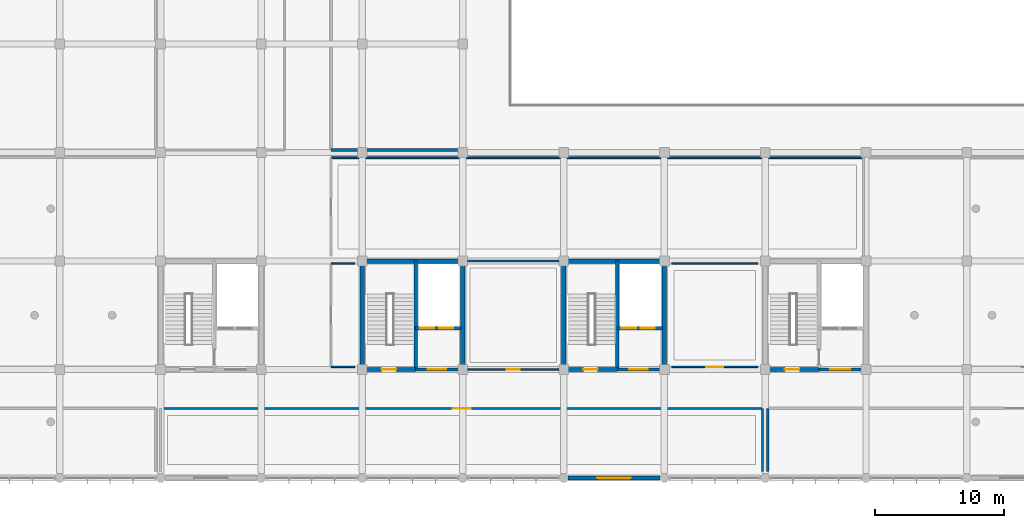
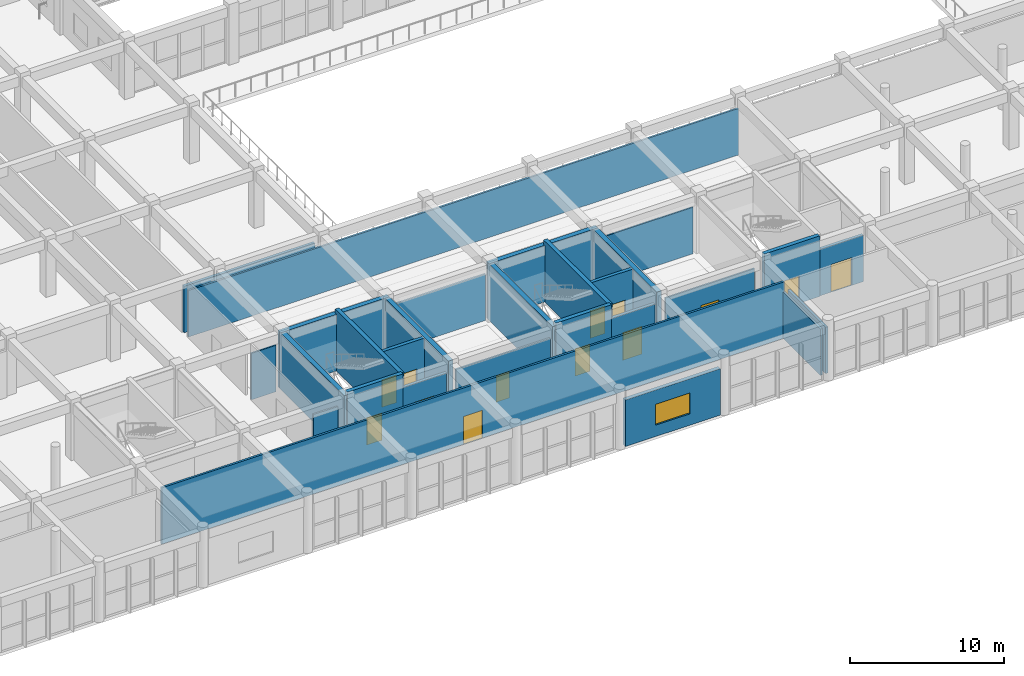
# One storey, part 160 of 175: 28 walls, 13 doors, 1 window, 14 openings.
"""IFC4 building model written with IfcOpenShell, lengths in metres."""

from ifc_helpers import new_model, si_unit, direction, frame, frame_2d, origin, place, context, subcontext, project, spatial, rectangle, extrude, material, layer, layer_set, type_object, element, fill, save


model = new_model("IFC4")

# Units and contexts
model_context = context("Model", 3, precision=1e-05, world=origin(), true_north=direction((0.0, 1.0)))
body_context = subcontext(model_context, "Body", "Model", "MODEL_VIEW")
ifc_project = project(units=[si_unit("LENGTHUNIT", "METRE"), si_unit("AREAUNIT", "SQUARE_METRE"), si_unit("VOLUMEUNIT", "CUBIC_METRE"), si_unit("PLANEANGLEUNIT", "RADIAN"), si_unit("MASSUNIT", "GRAM", prefix="KILO")], contexts=[model_context])

# Site, building, storey
site_placement = place(None, origin())
site = spatial("IfcSite", under=ifc_project, at=site_placement, CompositionType="ELEMENT")
building_placement = place(site_placement, origin())
building = spatial("IfcBuilding", under=site, at=building_placement, Name="Zizhar Promenade General Hospital", CompositionType="ELEMENT")
storey_placement = place(building_placement, frame((0.0, 0.0, 4.800048828125)))
storey = spatial("IfcBuildingStorey", under=building, at=storey_placement, Name="L01", CompositionType="ELEMENT", Elevation=4.800048828125)

# Wall, opening, window
ifc_material_1 = material(Name="Precast concrete C40/50", Category="concrete")
ifc_layer_1 = layer(ifc_material_1, 0.2900390625)
ifc_layer_set_1 = layer_set([ifc_layer_1], Name="Precast concrete C40/50")
wall_type_1 = type_object("IfcWallType", Name="EW-PC-290", PredefinedType="STANDARD", material=ifc_layer_set_1)
wall_1_placement = place(storey_placement, frame((85.4599609375, 0.0, 0.0), z_axis=(0.0, 0.0, 1.0), x_axis=(-1.0, 0.0, 0.0)))
wall_1 = element("IfcWall", 1, at=wall_1_placement, inside=storey, type_object=wall_type_1, Name="Riverfront Facade Wall L01-9", PredefinedType="STANDARD", context=body_context, shape_type="SweptSolid", body=[
    extrude(rectangle(XDim=7.119873046875, YDim=0.2900390625, at=frame_2d((3.56005859375, 0.0))), origin(), (0.0, 0.0, 1.0), 3.679931640625),
])
opening_1_placement = place(wall_1_placement, frame((2.260009765625, 0.0, 0.89990234375)))
opening_1 = element("IfcOpeningElement", 2, at=opening_1_placement, cuts=wall_1, Name="Opening W-06", PredefinedType="OPENING", context=body_context, shape_type="SweptSolid", body=[
    extrude(rectangle(XDim=2.60009765625, YDim=1.64990234375, at=frame_2d((1.300048828125, 0.824951171875))), frame((0.0, 0.155029296875, 0.0), z_axis=(0.0, -1.0, 0.0), x_axis=(1.0, 0.0, 0.0)), (0.0, 0.0, 1.0), 0.31005859375),
])
ifc_material_2 = material(Name="Anodised aluminium 6063-T6 and low-E glass", Category="aluminium")
window_type = type_object("IfcWindowType", Name="WIN-CLN-260x165", PartitioningType="TRIPLE_PANEL_VERTICAL", PredefinedType="WINDOW", material=ifc_material_2)
window_placement = place(opening_1_placement, origin())
window = element("IfcWindow", 3, at=window_placement, inside=storey, type_object=window_type, Name="Riverfront Facade Wall L01-9 Window 1", OverallHeight=1.64990234375, OverallWidth=2.60009765625, PartitioningType="SINGLE_PANEL", PredefinedType="WINDOW", context=body_context, shape_type="SweptSolid", body=[
    extrude(rectangle(XDim=2.60009765625, YDim=1.64990234375, at=frame_2d((1.300048828125, 0.824951171875))), frame((0.0, 0.030029296875, 0.0), z_axis=(0.0, -1.0, 0.0), x_axis=(1.0, 0.0, 0.0)), (0.0, 0.0, 1.0), 0.06005859375),
])
fill(opening_1, window)

# Walls
ifc_material_3 = material(Name="Acoustic double-stud clinical partition")
ifc_layer_2 = layer(ifc_material_3, 0.179931640625)
ifc_layer_set_2 = layer_set([ifc_layer_2], Name="Acoustic double-stud clinical partition")
wall_type_2 = type_object("IfcWallType", Name="IW-ICU-180", PredefinedType="PARTITIONING", material=ifc_layer_set_2)
wall_2_placement = place(storey_placement, frame((93.800048828125, 0.5, 0.0), z_axis=(0.0, 0.0, 1.0), x_axis=(0.0, 1.0, 0.0)))
element("IfcWall", 4, at=wall_2_placement, inside=storey, type_object=wall_type_2, Name="Coronary Intensive Care Unit W Partition", PredefinedType="PARTITIONING", context=body_context, shape_type="SweptSolid", body=[
    extrude(rectangle(XDim=4.89990234375, YDim=0.179931640625, at=frame_2d((2.449951171875, 0.0))), origin(), (0.0, 0.0, 1.0), 3.6650390625),
])
ifc_material_4 = material(Name="Chemical-resistant laboratory partition")
ifc_layer_3 = layer(ifc_material_4, 0.135009765625)
ifc_layer_set_3 = layer_set([ifc_layer_3], Name="Chemical-resistant laboratory partition")
wall_type_3 = type_object("IfcWallType", Name="IW-LAB-135", PredefinedType="PARTITIONING", material=ifc_layer_set_3)
wall_3_placement = place(storey_placement, frame((60.0, 24.800048828125, 0.0), z_axis=(0.0, 0.0, 1.0), x_axis=(1.0, 0.0, 0.0)))
element("IfcWall", 5, at=wall_3_placement, inside=storey, type_object=wall_type_3, Name="Clinical Haematology and Biochemistry Laboratory N Partition", PredefinedType="PARTITIONING", context=body_context, shape_type="SweptSolid", body=[
    extrude(rectangle(XDim=41.199951171875, YDim=0.135009765625, at=frame_2d((20.60009765625, 0.0))), origin(), (0.0, 0.0, 1.0), 3.679931640625),
])

# Wall, opening, door
ifc_material_5 = material(Name="Concrete C35/45", Category="concrete")
ifc_layer_4 = layer(ifc_material_5, 0.215087890625)
ifc_layer_set_4 = layer_set([ifc_layer_4], Name="Concrete C35/45")
wall_type_4 = type_object("IfcWallType", Name="IW-LOBBY-215", PredefinedType="STANDARD", material=ifc_layer_set_4)
wall_4_placement = place(storey_placement, frame((66.550048828125, 8.39990234375, 0.0), z_axis=(0.0, 0.0, 1.0), x_axis=(1.0, 0.0, 0.0)))
wall_4 = element("IfcWall", 6, at=wall_4_placement, inside=storey, type_object=wall_type_4, Name="Core C3 Lift Lobby South Fire Wall (L01)", PredefinedType="STANDARD", context=body_context, shape_type="SweptSolid", body=[
    extrude(rectangle(XDim=3.2900390625, YDim=0.215087890625, at=frame_2d((1.64501953125, 0.0))), origin(), (0.0, 0.0, 1.0), 3.679931640625),
])
opening_2_placement = place(wall_4_placement, frame((0.925048828125, 0.0, 0.0)))
opening_2 = element("IfcOpeningElement", 7, at=opening_2_placement, cuts=wall_4, Name="Opening D-23", PredefinedType="OPENING", context=body_context, shape_type="SweptSolid", body=[
    extrude(rectangle(XDim=1.43994140625, YDim=2.199951171875, at=frame_2d((0.719970703125, 1.10009765625))), frame((0.0, 0.11767578125, 0.0), z_axis=(0.0, -1.0, 0.0), x_axis=(1.0, 0.0, 0.0)), (0.0, 0.0, 1.0), 0.235107421875),
])
ifc_material_6 = material(Name="Fire-rated timber lift lobby pair", Category="wood")
door_type_1 = type_object("IfcDoorType", Name="DR-LOBBY-PR-144x220", OperationType="DOUBLE_DOOR_SINGLE_SWING", PredefinedType="DOOR", material=ifc_material_6)
door_1_placement = place(opening_2_placement, origin())
door_1 = element("IfcDoor", 8, at=door_1_placement, inside=storey, type_object=door_type_1, Name="Core C3 Protected Lift Lobby Door (L01)", OperationType="DOUBLE_DOOR_SINGLE_SWING", OverallHeight=2.199951171875, OverallWidth=1.43994140625, PredefinedType="DOOR", context=body_context, shape_type="SweptSolid", body=[
    extrude(rectangle(XDim=1.43994140625, YDim=2.199951171875, at=frame_2d((0.719970703125, 1.10009765625))), frame((0.0, 0.02490234375, 0.0), z_axis=(0.0, -1.0, 0.0), x_axis=(1.0, 0.0, 0.0)), (0.0, 0.0, 1.0), 0.050048828125),
])
fill(opening_2, door_1)

wall_5_placement = place(storey_placement, frame((82.14990234375, 8.39990234375, 0.0), z_axis=(0.0, 0.0, 1.0), x_axis=(1.0, 0.0, 0.0)))
wall_5 = element("IfcWall", 9, at=wall_5_placement, inside=storey, type_object=wall_type_4, Name="Core C4 Lift Lobby South Fire Wall (L01)", PredefinedType="STANDARD", context=body_context, shape_type="SweptSolid", body=[
    extrude(rectangle(XDim=3.2900390625, YDim=0.215087890625, at=frame_2d((1.64501953125, 0.0))), origin(), (0.0, 0.0, 1.0), 3.679931640625),
])
opening_3_placement = place(wall_5_placement, frame((0.925048828125, 0.0, 0.0)))
opening_3 = element("IfcOpeningElement", 10, at=opening_3_placement, cuts=wall_5, Name="Opening D-23", PredefinedType="OPENING", context=body_context, shape_type="SweptSolid", body=[
    extrude(rectangle(XDim=1.43994140625, YDim=2.199951171875, at=frame_2d((0.719970703125, 1.10009765625))), frame((0.0, 0.11767578125, 0.0), z_axis=(0.0, -1.0, 0.0), x_axis=(1.0, 0.0, 0.0)), (0.0, 0.0, 1.0), 0.235107421875),
])
door_2_placement = place(opening_3_placement, origin())
door_2 = element("IfcDoor", 11, at=door_2_placement, inside=storey, type_object=door_type_1, Name="Core C4 Protected Lift Lobby Door (L01)", OperationType="DOUBLE_DOOR_SINGLE_SWING", OverallHeight=2.199951171875, OverallWidth=1.43994140625, PredefinedType="DOOR", context=body_context, shape_type="SweptSolid", body=[
    extrude(rectangle(XDim=1.43994140625, YDim=2.199951171875, at=frame_2d((0.719970703125, 1.10009765625))), frame((0.0, 0.02490234375, 0.0), z_axis=(0.0, -1.0, 0.0), x_axis=(1.0, 0.0, 0.0)), (0.0, 0.0, 1.0), 0.050048828125),
])
fill(opening_3, door_2)

wall_6_placement = place(storey_placement, frame((97.75, 8.39990234375, 0.0), z_axis=(0.0, 0.0, 1.0), x_axis=(1.0, 0.0, 0.0)))
wall_6 = element("IfcWall", 12, at=wall_6_placement, inside=storey, type_object=wall_type_4, Name="Core C5 Lift Lobby South Fire Wall (L01)", PredefinedType="STANDARD", context=body_context, shape_type="SweptSolid", body=[
    extrude(rectangle(XDim=3.2900390625, YDim=0.215087890625, at=frame_2d((1.64501953125, 0.0))), origin(), (0.0, 0.0, 1.0), 3.679931640625),
])
opening_4_placement = place(wall_6_placement, frame((0.864990234375, 0.0, 0.0)))
opening_4 = element("IfcOpeningElement", 13, at=opening_4_placement, cuts=wall_6, Name="Opening D-22", PredefinedType="OPENING", context=body_context, shape_type="SweptSolid", body=[
    extrude(rectangle(XDim=1.56005859375, YDim=2.199951171875, at=frame_2d((0.780029296875, 1.10009765625))), frame((0.0, 0.11767578125, 0.0), z_axis=(0.0, -1.0, 0.0), x_axis=(1.0, 0.0, 0.0)), (0.0, 0.0, 1.0), 0.235107421875),
])
ifc_material_7 = material(Name="Steel S355 firefighting lobby pair", Category="steel")
door_type_2 = type_object("IfcDoorType", Name="DR-LOBBY-FF-156x220", OperationType="DOUBLE_DOOR_SINGLE_SWING", PredefinedType="DOOR", material=ifc_material_7)
door_3_placement = place(opening_4_placement, origin())
door_3 = element("IfcDoor", 14, at=door_3_placement, inside=storey, type_object=door_type_2, Name="Core C5 Firefighting Lift Lobby Door (L01)", OperationType="DOUBLE_DOOR_SINGLE_SWING", OverallHeight=2.199951171875, OverallWidth=1.56005859375, PredefinedType="DOOR", context=body_context, shape_type="SweptSolid", body=[
    extrude(rectangle(XDim=1.56005859375, YDim=2.199951171875, at=frame_2d((0.780029296875, 1.10009765625))), frame((0.0, 0.02490234375, 0.0), z_axis=(0.0, -1.0, 0.0), x_axis=(1.0, 0.0, 0.0)), (0.0, 0.0, 1.0), 0.050048828125),
])
fill(opening_4, door_3)

# Wall, openings, doors
ifc_material_8 = material(Name="Concrete C35/45", Category="concrete")
ifc_layer_5 = layer(ifc_material_8, 0.25)
ifc_layer_set_5 = layer_set([ifc_layer_5], Name="Concrete C35/45")
wall_type_5 = type_object("IfcWallType", Name="IW-SHAFT-250", PredefinedType="STANDARD", material=ifc_layer_set_5)
wall_7_placement = place(storey_placement, frame((66.550048828125, 11.60009765625, 0.0), z_axis=(0.0, 0.0, 1.0), x_axis=(1.0, 0.0, 0.0)))
wall_7 = element("IfcWall", 15, at=wall_7_placement, inside=storey, type_object=wall_type_5, Name="Core C3 Lift Shaft Landing Wall (L01)", PredefinedType="STANDARD", context=body_context, shape_type="SweptSolid", body=[
    extrude(rectangle(XDim=3.5, YDim=0.25, at=frame_2d((1.75, 0.0))), origin(), (0.0, 0.0, 1.0), 4.4599609375),
])
opening_5_placement = place(wall_7_placement, frame((0.35009765625, 0.0, 0.0)))
opening_5 = element("IfcOpeningElement", 16, at=opening_5_placement, cuts=wall_7, Name="Opening LD-11", PredefinedType="OPENING", context=body_context, shape_type="SweptSolid", body=[
    extrude(rectangle(XDim=1.10009765625, YDim=2.199951171875, at=frame_2d((0.550048828125, 1.10009765625))), frame((0.0, 0.135009765625, 0.0), z_axis=(0.0, -1.0, 0.0), x_axis=(1.0, 0.0, 0.0)), (0.0, 0.0, 1.0), 0.27001953125),
])
opening_6_placement = place(wall_7_placement, frame((1.800048828125, 0.0, 0.0)))
opening_6 = element("IfcOpeningElement", 17, at=opening_6_placement, cuts=wall_7, Name="Opening LD-11", PredefinedType="OPENING", context=body_context, shape_type="SweptSolid", body=[
    extrude(rectangle(XDim=1.10009765625, YDim=2.199951171875, at=frame_2d((0.550048828125, 1.10009765625))), frame((0.0, 0.135009765625, 0.0), z_axis=(0.0, -1.0, 0.0), x_axis=(1.0, 0.0, 0.0)), (0.0, 0.0, 1.0), 0.27001953125),
])
ifc_material_9 = material(Name="Stainless Steel S355 passenger lift landing door", Category="steel")
door_type_3 = type_object("IfcDoorType", Name="DR-LIFT-LD11", OperationType="SLIDING_TO_LEFT", PredefinedType="DOOR", material=ifc_material_9)
door_4_placement = place(opening_5_placement, origin())
door_4 = element("IfcDoor", 18, at=door_4_placement, inside=storey, type_object=door_type_3, Name="Lift LB-02 Sliding Landing Door (L01)", OperationType="SLIDING_TO_LEFT", OverallHeight=2.199951171875, OverallWidth=1.10009765625, PredefinedType="DOOR", context=body_context, shape_type="SweptSolid", body=[
    extrude(rectangle(XDim=1.10009765625, YDim=2.199951171875, at=frame_2d((0.550048828125, 1.10009765625))), frame((0.0, 0.02490234375, 0.0), z_axis=(0.0, -1.0, 0.0), x_axis=(1.0, 0.0, 0.0)), (0.0, 0.0, 1.0), 0.050048828125),
])
fill(opening_5, door_4)
door_5_placement = place(opening_6_placement, origin())
door_5 = element("IfcDoor", 19, at=door_5_placement, inside=storey, type_object=door_type_3, Name="Lift LP-02 Sliding Landing Door (L01)", OperationType="SLIDING_TO_LEFT", OverallHeight=2.199951171875, OverallWidth=1.10009765625, PredefinedType="DOOR", context=body_context, shape_type="SweptSolid", body=[
    extrude(rectangle(XDim=1.10009765625, YDim=2.199951171875, at=frame_2d((0.550048828125, 1.10009765625))), frame((0.0, 0.02490234375, 0.0), z_axis=(0.0, -1.0, 0.0), x_axis=(1.0, 0.0, 0.0)), (0.0, 0.0, 1.0), 0.050048828125),
])
fill(opening_6, door_5)

wall_8_placement = place(storey_placement, frame((82.14990234375, 11.60009765625, 0.0), z_axis=(0.0, 0.0, 1.0), x_axis=(1.0, 0.0, 0.0)))
wall_8 = element("IfcWall", 20, at=wall_8_placement, inside=storey, type_object=wall_type_5, Name="Core C4 Lift Shaft Landing Wall (L01)", PredefinedType="STANDARD", context=body_context, shape_type="SweptSolid", body=[
    extrude(rectangle(XDim=3.5, YDim=0.25, at=frame_2d((1.75, 0.0))), origin(), (0.0, 0.0, 1.0), 4.4599609375),
])
opening_7_placement = place(wall_8_placement, frame((0.35009765625, 0.0, 0.0)))
opening_7 = element("IfcOpeningElement", 21, at=opening_7_placement, cuts=wall_8, Name="Opening LD-11", PredefinedType="OPENING", context=body_context, shape_type="SweptSolid", body=[
    extrude(rectangle(XDim=1.10009765625, YDim=2.199951171875, at=frame_2d((0.550048828125, 1.10009765625))), frame((0.0, 0.135009765625, 0.0), z_axis=(0.0, -1.0, 0.0), x_axis=(1.0, 0.0, 0.0)), (0.0, 0.0, 1.0), 0.27001953125),
])
opening_8_placement = place(wall_8_placement, frame((1.800048828125, 0.0, 0.0)))
opening_8 = element("IfcOpeningElement", 22, at=opening_8_placement, cuts=wall_8, Name="Opening LD-11", PredefinedType="OPENING", context=body_context, shape_type="SweptSolid", body=[
    extrude(rectangle(XDim=1.10009765625, YDim=2.199951171875, at=frame_2d((0.550048828125, 1.10009765625))), frame((0.0, 0.135009765625, 0.0), z_axis=(0.0, -1.0, 0.0), x_axis=(1.0, 0.0, 0.0)), (0.0, 0.0, 1.0), 0.27001953125),
])
door_6_placement = place(opening_7_placement, origin())
door_6 = element("IfcDoor", 23, at=door_6_placement, inside=storey, type_object=door_type_3, Name="Lift LB-03 Sliding Landing Door (L01)", OperationType="SLIDING_TO_LEFT", OverallHeight=2.199951171875, OverallWidth=1.10009765625, PredefinedType="DOOR", context=body_context, shape_type="SweptSolid", body=[
    extrude(rectangle(XDim=1.10009765625, YDim=2.199951171875, at=frame_2d((0.550048828125, 1.10009765625))), frame((0.0, 0.02490234375, 0.0), z_axis=(0.0, -1.0, 0.0), x_axis=(1.0, 0.0, 0.0)), (0.0, 0.0, 1.0), 0.050048828125),
])
fill(opening_7, door_6)
door_7_placement = place(opening_8_placement, origin())
door_7 = element("IfcDoor", 24, at=door_7_placement, inside=storey, type_object=door_type_3, Name="Lift LP-03 Sliding Landing Door (L01)", OperationType="SLIDING_TO_LEFT", OverallHeight=2.199951171875, OverallWidth=1.10009765625, PredefinedType="DOOR", context=body_context, shape_type="SweptSolid", body=[
    extrude(rectangle(XDim=1.10009765625, YDim=2.199951171875, at=frame_2d((0.550048828125, 1.10009765625))), frame((0.0, 0.02490234375, 0.0), z_axis=(0.0, -1.0, 0.0), x_axis=(1.0, 0.0, 0.0)), (0.0, 0.0, 1.0), 0.050048828125),
])
fill(opening_8, door_7)

# Walls
ifc_material_10 = material(Name="Clean utility gypsum partition")
ifc_layer_6 = layer(ifc_material_10, 0.114990234375)
ifc_layer_set_6 = layer_set([ifc_layer_6], Name="Clean utility gypsum partition")
wall_type_6 = type_object("IfcWallType", Name="IW-STR-115", PredefinedType="PARTITIONING", material=ifc_layer_set_6)
for number, where, z_axis, x_axis, name in (
    (25, (60.0, 8.60009765625, 0.0), (0.0, 0.0, 1.0), (1.0, 0.0, 0.0), "Clean Utility Room L01 S Partition"),
    (26, (60.0, 16.60009765625, 0.0), (0.0, 0.0, 1.0), (1.0, 0.0, 0.0), "Clean Utility Room L01 N Partition"),
):
    element("IfcWall", number, at=place(storey_placement, frame(where, z_axis=z_axis, x_axis=x_axis)), inside=storey, type_object=wall_type_6, Name=name, PredefinedType="PARTITIONING", context=body_context, shape_type="SweptSolid", body=[
        extrude(rectangle(XDim=1.840087890625, YDim=0.114990234375, at=frame_2d((0.919921875, 0.0))), origin(), (0.0, 0.0, 1.0), 3.679931640625),
    ])

# Wall, opening, door
wall_9_placement = place(storey_placement, frame((86.360107421875, 8.60009765625, 0.0), z_axis=(0.0, 0.0, 1.0), x_axis=(1.0, 0.0, 0.0)))
wall_9 = element("IfcWall", 27, at=wall_9_placement, inside=storey, type_object=wall_type_6, Name="ICU Nurse Station and Pharmacy Satellite L01 S Partition", PredefinedType="PARTITIONING", context=body_context, shape_type="SweptSolid", body=[
    extrude(rectangle(XDim=6.679931640625, YDim=0.114990234375, at=frame_2d((3.33984375, 0.0))), origin(), (0.0, 0.0, 1.0), 3.679931640625),
])
opening_9_placement = place(wall_9_placement, frame((2.679931640625, 0.0, 0.0)))
opening_9 = element("IfcOpeningElement", 28, at=opening_9_placement, cuts=wall_9, Name="Opening D-26", PredefinedType="OPENING", context=body_context, shape_type="SweptSolid", body=[
    extrude(rectangle(XDim=1.320068359375, YDim=2.14990234375, at=frame_2d((0.66015625, 1.074951171875))), frame((0.0, 0.0673828125, 0.0), z_axis=(0.0, -1.0, 0.0), x_axis=(1.0, 0.0, 0.0)), (0.0, 0.0, 1.0), 0.135009765625),
])
ifc_material_11 = material(Name="Fire-rated timber store leaf", Category="wood")
door_type_4 = type_object("IfcDoorType", Name="DR-STORE-132x215", OperationType="NOTDEFINED", PredefinedType="DOOR", material=ifc_material_11)
door_8_placement = place(opening_9_placement, origin())
door_8 = element("IfcDoor", 29, at=door_8_placement, inside=storey, type_object=door_type_4, Name="ICU Nurse Station and Pharmacy Satellite L01 Door", OperationType="SINGLE_SWING_RIGHT", OverallHeight=2.14990234375, OverallWidth=1.320068359375, PredefinedType="DOOR", context=body_context, shape_type="SweptSolid", body=[
    extrude(rectangle(XDim=1.320068359375, YDim=2.14990234375, at=frame_2d((0.66015625, 1.074951171875))), frame((0.0, 0.02490234375, 0.0), z_axis=(0.0, -1.0, 0.0), x_axis=(1.0, 0.0, 0.0)), (0.0, 0.0, 1.0), 0.050048828125),
])
fill(opening_9, door_8)

# Wall
wall_10_placement = place(storey_placement, frame((86.360107421875, 16.60009765625, 0.0), z_axis=(0.0, 0.0, 1.0), x_axis=(1.0, 0.0, 0.0)))
element("IfcWall", 30, at=wall_10_placement, inside=storey, type_object=wall_type_6, Name="ICU Nurse Station and Pharmacy Satellite L01 N Partition", PredefinedType="PARTITIONING", context=body_context, shape_type="SweptSolid", body=[
    extrude(rectangle(XDim=6.679931640625, YDim=0.114990234375, at=frame_2d((3.33984375, 0.0))), origin(), (0.0, 0.0, 1.0), 3.679931640625),
])

# Wall, opening, door
ifc_material_12 = material(Name="Acoustic patient bedroom partition")
ifc_layer_7 = layer(ifc_material_12, 0.155029296875)
ifc_layer_set_7 = layer_set([ifc_layer_7], Name="Acoustic patient bedroom partition")
wall_type_7 = type_object("IfcWallType", Name="IW-WARD-155", PredefinedType="PARTITIONING", material=ifc_layer_set_7)
wall_11_placement = place(storey_placement, frame((46.800048828125, 5.39990234375, 0.0), z_axis=(0.0, 0.0, 1.0), x_axis=(1.0, 0.0, 0.0)))
wall_11 = element("IfcWall", 31, at=wall_11_placement, inside=storey, type_object=wall_type_7, Name="Surgical High-Dependency Inpatient Ward N Partition", PredefinedType="PARTITIONING", context=body_context, shape_type="SweptSolid", body=[
    extrude(rectangle(XDim=46.599853515625, YDim=0.155029296875, at=frame_2d((23.2998046875, 0.0))), origin(), (0.0, 0.0, 1.0), 4.4599609375),
])
opening_10_placement = place(wall_11_placement, frame((22.60009765625, 0.0, 0.0)))
opening_10 = element("IfcOpeningElement", 32, at=opening_10_placement, cuts=wall_11, Name="Opening D-06", PredefinedType="OPENING", context=body_context, shape_type="SweptSolid", body=[
    extrude(rectangle(XDim=1.39990234375, YDim=2.199951171875, at=frame_2d((0.699951171875, 1.10009765625))), frame((0.0, 0.08740234375, 0.0), z_axis=(0.0, -1.0, 0.0), x_axis=(1.0, 0.0, 0.0)), (0.0, 0.0, 1.0), 0.175048828125),
])
ifc_material_13 = material(Name="Fire-rated timber hospital bed leaf", Category="wood")
door_type_5 = type_object("IfcDoorType", Name="DR-BED-WARD-140x220", OperationType="NOTDEFINED", PredefinedType="DOOR", material=ifc_material_13)
door_9_placement = place(opening_10_placement, origin())
door_9 = element("IfcDoor", 33, at=door_9_placement, inside=storey, type_object=door_type_5, Name="Surgical High-Dependency Inpatient Ward Door", OperationType="SINGLE_SWING_RIGHT", OverallHeight=2.199951171875, OverallWidth=1.39990234375, PredefinedType="DOOR", context=body_context, shape_type="SweptSolid", body=[
    extrude(rectangle(XDim=1.39990234375, YDim=2.199951171875, at=frame_2d((0.699951171875, 1.10009765625))), frame((0.0, 0.02490234375, 0.0), z_axis=(0.0, -1.0, 0.0), x_axis=(1.0, 0.0, 0.0)), (0.0, 0.0, 1.0), 0.050048828125),
])
fill(opening_10, door_9)

# Wall
wall_12_placement = place(storey_placement, frame((93.39990234375, 0.5, 0.0), z_axis=(0.0, 0.0, 1.0), x_axis=(0.0, 1.0, 0.0)))
element("IfcWall", 34, at=wall_12_placement, inside=storey, type_object=wall_type_7, Name="Surgical High-Dependency Inpatient Ward E Partition", PredefinedType="PARTITIONING", context=body_context, shape_type="SweptSolid", body=[
    extrude(rectangle(XDim=4.89990234375, YDim=0.155029296875, at=frame_2d((2.449951171875, 0.0))), origin(), (0.0, 0.0, 1.0), 3.6650390625),
])

# Wall, opening, door
ifc_material_14 = material(Name="Moisture-resistant en-suite wet partition")
ifc_layer_8 = layer(ifc_material_14, 0.125)
ifc_layer_set_8 = layer_set([ifc_layer_8], Name="Moisture-resistant en-suite wet partition")
wall_type_8 = type_object("IfcWallType", Name="IW-WET-125", PredefinedType="PARTITIONING", material=ifc_layer_set_8)
wall_13_placement = place(storey_placement, frame((70.56005859375, 8.39990234375, 0.0), z_axis=(0.0, 0.0, 1.0), x_axis=(1.0, 0.0, 0.0)))
wall_13 = element("IfcWall", 35, at=wall_13_placement, inside=storey, type_object=wall_type_8, Name="Accessible Public and Staff Toilet L01 S Partition", PredefinedType="PARTITIONING", context=body_context, shape_type="SweptSolid", body=[
    extrude(rectangle(XDim=7.079833984375, YDim=0.125, at=frame_2d((3.5400390625, 0.0))), origin(), (0.0, 0.0, 1.0), 3.679931640625),
])
opening_11_placement = place(wall_13_placement, frame((3.0400390625, 0.0, 0.0)))
opening_11 = element("IfcOpeningElement", 36, at=opening_11_placement, cuts=wall_13, Name="Opening D-19", PredefinedType="OPENING", context=body_context, shape_type="SweptSolid", body=[
    extrude(rectangle(XDim=1.0, YDim=2.10009765625, at=frame_2d((0.5, 1.050048828125))), frame((0.0, 0.072509765625, 0.0), z_axis=(0.0, -1.0, 0.0), x_axis=(1.0, 0.0, 0.0)), (0.0, 0.0, 1.0), 0.14501953125),
])
ifc_material_15 = material(Name="Moisture-resistant timber accessible WC", Category="wood")
door_type_6 = type_object("IfcDoorType", Name="DR-WC-PMR-100x210", OperationType="NOTDEFINED", PredefinedType="DOOR", material=ifc_material_15)
door_10_placement = place(opening_11_placement, origin())
door_10 = element("IfcDoor", 37, at=door_10_placement, inside=storey, type_object=door_type_6, Name="Accessible Public and Staff Toilet L01 Door", OperationType="SINGLE_SWING_LEFT", OverallHeight=2.10009765625, OverallWidth=1.0, PredefinedType="DOOR", context=body_context, shape_type="SweptSolid", body=[
    extrude(rectangle(XDim=1.0, YDim=2.10009765625, at=frame_2d((0.5, 1.050048828125))), frame((0.0, 0.02490234375, 0.0), z_axis=(0.0, -1.0, 0.0), x_axis=(1.0, 0.0, 0.0)), (0.0, 0.0, 1.0), 0.050048828125),
])
fill(opening_11, door_10)

# Walls
wall_14_placement = place(storey_placement, frame((70.56005859375, 16.800048828125, 0.0), z_axis=(0.0, 0.0, 1.0), x_axis=(1.0, 0.0, 0.0)))
element("IfcWall", 38, at=wall_14_placement, inside=storey, type_object=wall_type_8, Name="Accessible Public and Staff Toilet L01 N Partition", PredefinedType="PARTITIONING", context=body_context, shape_type="SweptSolid", body=[
    extrude(rectangle(XDim=7.079833984375, YDim=0.125, at=frame_2d((3.5400390625, 0.0))), origin(), (0.0, 0.0, 1.0), 3.679931640625),
])
ifc_material_16 = material(Name="Lead-lined gypsum acoustic partition")
ifc_layer_9 = layer(ifc_material_16, 0.205078125)
ifc_layer_set_9 = layer_set([ifc_layer_9], Name="Lead-lined gypsum acoustic partition")
wall_type_9 = type_object("IfcWallType", Name="IW-XRAY-205", PredefinedType="PARTITIONING", material=ifc_layer_set_9)
wall_15_placement = place(storey_placement, frame((60.0, 25.39990234375, 0.0), z_axis=(0.0, 0.0, 1.0), x_axis=(1.0, 0.0, 0.0)))
element("IfcWall", 39, at=wall_15_placement, inside=storey, type_object=wall_type_9, Name="Diagnostic Mammography and Bone Densitometry Imaging S Partition", PredefinedType="PARTITIONING", context=body_context, shape_type="SweptSolid", body=[
    extrude(rectangle(XDim=9.800048828125, YDim=0.205078125, at=frame_2d((4.89990234375, 0.0))), origin(), (0.0, 0.0, 1.0), 3.679931640625),
])

# Wall, opening, door
ifc_material_17 = material(Name="Concrete C40/50", Category="concrete")
ifc_layer_10 = layer(ifc_material_17, 0.300048828125)
ifc_layer_set_10 = layer_set([ifc_layer_10], Name="Concrete C40/50")
wall_type_10 = type_object("IfcWallType", Name="WL-CORE-300", PredefinedType="SHEAR", material=ifc_layer_set_10)
wall_16_placement = place(storey_placement, frame((62.39990234375, 8.39990234375, 0.0), z_axis=(0.0, 0.0, 1.0), x_axis=(1.0, 0.0, 0.0)))
wall_16 = element("IfcWall", 40, at=wall_16_placement, inside=storey, type_object=wall_type_10, Name="Core C3 Stair South Fire Wall (L01)", PredefinedType="SHEAR", context=body_context, shape_type="SweptSolid", body=[
    extrude(rectangle(XDim=4.150146484375, YDim=0.300048828125, at=frame_2d((2.0751953125, 0.0))), origin(), (0.0, 0.0, 1.0), 4.800048828125),
])
opening_12_placement = place(wall_16_placement, frame((1.514892578125, 0.0, 0.0)))
opening_12 = element("IfcOpeningElement", 41, at=opening_12_placement, cuts=wall_16, Name="Opening D-21", PredefinedType="OPENING", context=body_context, shape_type="SweptSolid", body=[
    extrude(rectangle(XDim=1.1201171875, YDim=2.14990234375, at=frame_2d((0.56005859375, 1.074951171875))), frame((0.0, 0.16015625, 0.0), z_axis=(0.0, -1.0, 0.0), x_axis=(1.0, 0.0, 0.0)), (0.0, 0.0, 1.0), 0.320068359375),
])
ifc_material_18 = material(Name="Steel S355 protected stair door", Category="steel")
door_type_7 = type_object("IfcDoorType", Name="DR-STAIR-112x215", OperationType="NOTDEFINED", PredefinedType="DOOR", material=ifc_material_18)
door_11_placement = place(opening_12_placement, origin())
door_11 = element("IfcDoor", 42, at=door_11_placement, inside=storey, type_object=door_type_7, Name="Exit Stair ST-03 Door (L01)", OperationType="SINGLE_SWING_RIGHT", OverallHeight=2.14990234375, OverallWidth=1.1201171875, PredefinedType="DOOR", context=body_context, shape_type="SweptSolid", body=[
    extrude(rectangle(XDim=1.1201171875, YDim=2.14990234375, at=frame_2d((0.56005859375, 1.074951171875))), frame((0.0, 0.02490234375, 0.0), z_axis=(0.0, -1.0, 0.0), x_axis=(1.0, 0.0, 0.0)), (0.0, 0.0, 1.0), 0.050048828125),
])
fill(opening_12, door_11)

# Wall
wall_17_placement = place(storey_placement, frame((66.550048828125, 8.39990234375, 0.0), z_axis=(0.0, 0.0, 1.0), x_axis=(0.0, 1.0, 0.0)))
element("IfcWall", 43, at=wall_17_placement, inside=storey, type_object=wall_type_10, Name="Core C3 Stair-Shaft Separation Wall (L01)", PredefinedType="SHEAR", context=body_context, shape_type="SweptSolid", body=[
    extrude(rectangle(XDim=8.400146484375, YDim=0.300048828125, at=frame_2d((4.2001953125, 0.0))), origin(), (0.0, 0.0, 1.0), 4.800048828125),
])

# Wall, opening, door
wall_18_placement = place(storey_placement, frame((78.0, 8.39990234375, 0.0), z_axis=(0.0, 0.0, 1.0), x_axis=(1.0, 0.0, 0.0)))
wall_18 = element("IfcWall", 44, at=wall_18_placement, inside=storey, type_object=wall_type_10, Name="Core C4 Stair South Fire Wall (L01)", PredefinedType="SHEAR", context=body_context, shape_type="SweptSolid", body=[
    extrude(rectangle(XDim=4.14990234375, YDim=0.300048828125, at=frame_2d((2.074951171875, 0.0))), origin(), (0.0, 0.0, 1.0), 4.800048828125),
])
opening_13_placement = place(wall_18_placement, frame((1.514892578125, 0.0, 0.0)))
opening_13 = element("IfcOpeningElement", 45, at=opening_13_placement, cuts=wall_18, Name="Opening D-21", PredefinedType="OPENING", context=body_context, shape_type="SweptSolid", body=[
    extrude(rectangle(XDim=1.1201171875, YDim=2.14990234375, at=frame_2d((0.56005859375, 1.074951171875))), frame((0.0, 0.16015625, 0.0), z_axis=(0.0, -1.0, 0.0), x_axis=(1.0, 0.0, 0.0)), (0.0, 0.0, 1.0), 0.320068359375),
])
door_12_placement = place(opening_13_placement, origin())
door_12 = element("IfcDoor", 46, at=door_12_placement, inside=storey, type_object=door_type_7, Name="Exit Stair ST-04 Door (L01)", OperationType="SINGLE_SWING_RIGHT", OverallHeight=2.14990234375, OverallWidth=1.1201171875, PredefinedType="DOOR", context=body_context, shape_type="SweptSolid", body=[
    extrude(rectangle(XDim=1.1201171875, YDim=2.14990234375, at=frame_2d((0.56005859375, 1.074951171875))), frame((0.0, 0.02490234375, 0.0), z_axis=(0.0, -1.0, 0.0), x_axis=(1.0, 0.0, 0.0)), (0.0, 0.0, 1.0), 0.050048828125),
])
fill(opening_13, door_12)

# Wall
wall_19_placement = place(storey_placement, frame((82.14990234375, 8.39990234375, 0.0), z_axis=(0.0, 0.0, 1.0), x_axis=(0.0, 1.0, 0.0)))
element("IfcWall", 47, at=wall_19_placement, inside=storey, type_object=wall_type_10, Name="Core C4 Stair-Shaft Separation Wall (L01)", PredefinedType="SHEAR", context=body_context, shape_type="SweptSolid", body=[
    extrude(rectangle(XDim=8.400146484375, YDim=0.300048828125, at=frame_2d((4.2001953125, 0.0))), origin(), (0.0, 0.0, 1.0), 4.800048828125),
])

# Wall, opening, door
wall_20_placement = place(storey_placement, frame((93.60009765625, 8.39990234375, 0.0), z_axis=(0.0, 0.0, 1.0), x_axis=(1.0, 0.0, 0.0)))
wall_20 = element("IfcWall", 48, at=wall_20_placement, inside=storey, type_object=wall_type_10, Name="Core C5 Stair South Fire Wall (L01)", PredefinedType="SHEAR", context=body_context, shape_type="SweptSolid", body=[
    extrude(rectangle(XDim=4.14990234375, YDim=0.300048828125, at=frame_2d((2.074951171875, 0.0))), origin(), (0.0, 0.0, 1.0), 4.800048828125),
])
opening_14_placement = place(wall_20_placement, frame((1.514892578125, 0.0, 0.0)))
opening_14 = element("IfcOpeningElement", 49, at=opening_14_placement, cuts=wall_20, Name="Opening D-21", PredefinedType="OPENING", context=body_context, shape_type="SweptSolid", body=[
    extrude(rectangle(XDim=1.1201171875, YDim=2.14990234375, at=frame_2d((0.56005859375, 1.074951171875))), frame((0.0, 0.16015625, 0.0), z_axis=(0.0, -1.0, 0.0), x_axis=(1.0, 0.0, 0.0)), (0.0, 0.0, 1.0), 0.320068359375),
])
door_13_placement = place(opening_14_placement, origin())
door_13 = element("IfcDoor", 50, at=door_13_placement, inside=storey, type_object=door_type_7, Name="Exit Stair ST-05 Door (L01)", OperationType="SINGLE_SWING_RIGHT", OverallHeight=2.14990234375, OverallWidth=1.1201171875, PredefinedType="DOOR", context=body_context, shape_type="SweptSolid", body=[
    extrude(rectangle(XDim=1.1201171875, YDim=2.14990234375, at=frame_2d((0.56005859375, 1.074951171875))), frame((0.0, 0.02490234375, 0.0), z_axis=(0.0, -1.0, 0.0), x_axis=(1.0, 0.0, 0.0)), (0.0, 0.0, 1.0), 0.050048828125),
])
fill(opening_14, door_13)

# Walls
ifc_material_19 = material(Name="Concrete C40/50", Category="concrete")
ifc_layer_11 = layer(ifc_material_19, 0.35009765625)
ifc_layer_set_11 = layer_set([ifc_layer_11], Name="Concrete C40/50")
wall_type_11 = type_object("IfcWallType", Name="WL-CORE-350", PredefinedType="SHEAR", material=ifc_layer_set_11)
wall_21_placement = place(storey_placement, frame((62.22509765625, 16.800048828125, 0.0), z_axis=(0.0, 0.0, 1.0), x_axis=(1.0, 0.0, 0.0)))
element("IfcWall", 51, at=wall_21_placement, inside=storey, type_object=wall_type_11, Name="Core C3 North Shear Wall L01", PredefinedType="SHEAR", context=body_context, shape_type="SweptSolid", body=[
    extrude(rectangle(XDim=8.14990234375, YDim=0.35009765625, at=frame_2d((4.074951171875, 0.0))), origin(), (0.0, 0.0, 1.0), 4.47998046875),
])
for number, where, z_axis, x_axis, name in (
    (52, (62.39990234375, 8.39990234375, 0.0), (0.0, 0.0, 1.0), (0.0, 1.0, 0.0), "Core C3 West Shear Wall L01"),
    (53, (70.199951171875, 8.39990234375, 0.0), (0.0, 0.0, 1.0), (0.0, 1.0, 0.0), "Core C3 East Shear Wall L01"),
):
    element("IfcWall", number, at=place(storey_placement, frame(where, z_axis=z_axis, x_axis=x_axis)), inside=storey, type_object=wall_type_11, Name=name, PredefinedType="SHEAR", context=body_context, shape_type="SweptSolid", body=[
        extrude(rectangle(XDim=8.400146484375, YDim=0.35009765625, at=frame_2d((4.2001953125, 0.0))), origin(), (0.0, 0.0, 1.0), 4.47998046875),
    ])
wall_22_placement = place(storey_placement, frame((77.824951171875, 16.800048828125, 0.0), z_axis=(0.0, 0.0, 1.0), x_axis=(1.0, 0.0, 0.0)))
element("IfcWall", 54, at=wall_22_placement, inside=storey, type_object=wall_type_11, Name="Core C4 North Shear Wall L01", PredefinedType="SHEAR", context=body_context, shape_type="SweptSolid", body=[
    extrude(rectangle(XDim=8.150146484375, YDim=0.35009765625, at=frame_2d((4.0751953125, 0.0))), origin(), (0.0, 0.0, 1.0), 4.47998046875),
])
for number, where, z_axis, x_axis, name in (
    (55, (78.0, 8.39990234375, 0.0), (0.0, 0.0, 1.0), (0.0, 1.0, 0.0), "Core C4 West Shear Wall L01"),
    (56, (85.800048828125, 8.39990234375, 0.0), (0.0, 0.0, 1.0), (0.0, 1.0, 0.0), "Core C4 East Shear Wall L01"),
):
    element("IfcWall", number, at=place(storey_placement, frame(where, z_axis=z_axis, x_axis=x_axis)), inside=storey, type_object=wall_type_11, Name=name, PredefinedType="SHEAR", context=body_context, shape_type="SweptSolid", body=[
        extrude(rectangle(XDim=8.400146484375, YDim=0.35009765625, at=frame_2d((4.2001953125, 0.0))), origin(), (0.0, 0.0, 1.0), 4.47998046875),
    ])

save(model, "model.ifc")
